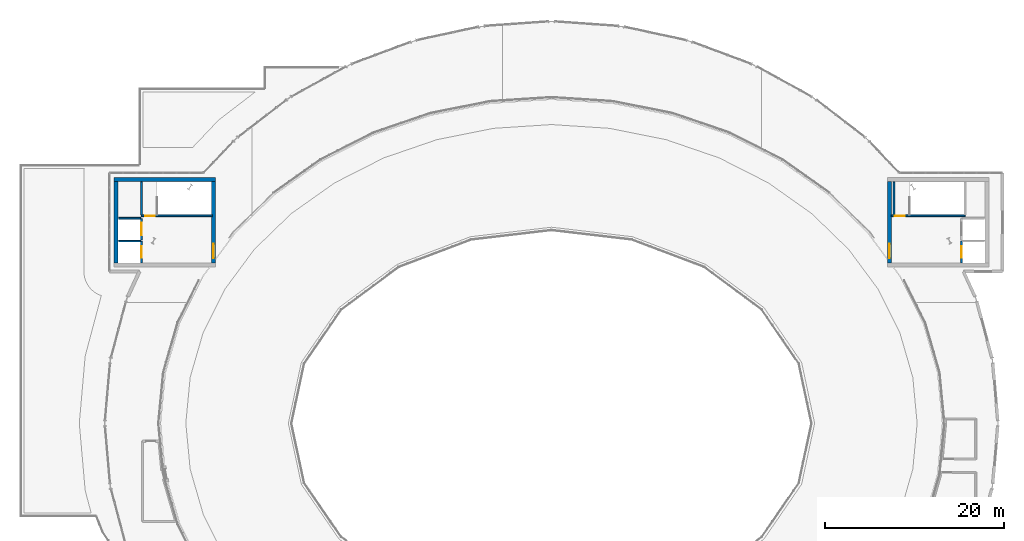
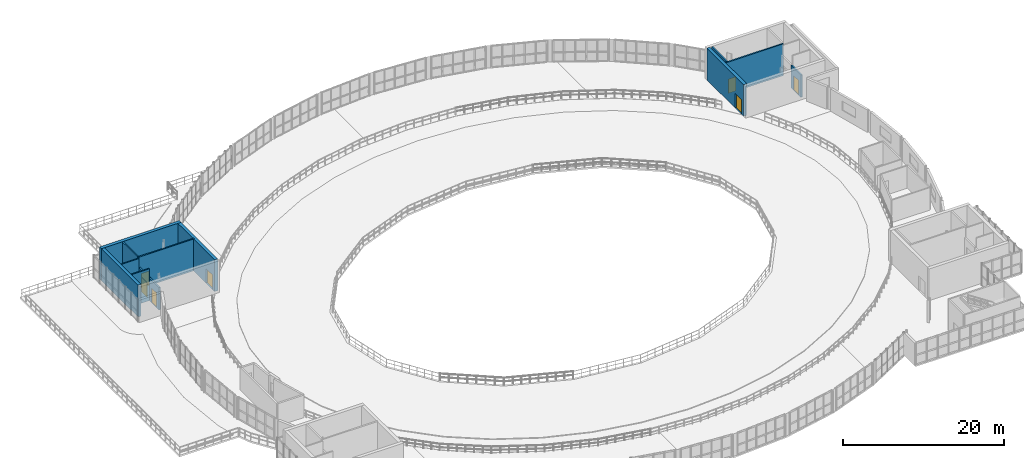
# One storey, part 33 of 40: 13 walls, 7 doors, 7 openings.
"""IFC4 building model written with IfcOpenShell, lengths in metres."""

from ifc_helpers import new_model, si_unit, direction, frame, frame_2d, origin, place, context, subcontext, project, spatial, rectangle, extrude, material, layer, layer_set, type_object, element, fill, save


model = new_model("IFC4")

# Units and contexts
model_context = context("Model", 3, precision=1e-05, world=origin(), true_north=direction((0.0, 1.0)))
body_context = subcontext(model_context, "Body", "Model", "MODEL_VIEW")
ifc_project = project(units=[si_unit("LENGTHUNIT", "METRE"), si_unit("AREAUNIT", "SQUARE_METRE"), si_unit("VOLUMEUNIT", "CUBIC_METRE"), si_unit("PLANEANGLEUNIT", "RADIAN"), si_unit("MASSUNIT", "GRAM", prefix="KILO")], contexts=[model_context])

# Site, building, storey
site_placement = place(None, origin())
site = spatial("IfcSite", under=ifc_project, at=site_placement, CompositionType="ELEMENT")
building_placement = place(site_placement, origin())
building = spatial("IfcBuilding", under=site, at=building_placement, Name="Glasvene Arena", CompositionType="ELEMENT")
storey_placement = place(building_placement, frame((0.0, 0.0, 24.0)))
storey = spatial("IfcBuildingStorey", under=building, at=storey_placement, Name="L05", CompositionType="ELEMENT", Elevation=24.0)

# Walls
ifc_material_1 = material(Name="Concrete C40/50", Category="concrete")
ifc_layer_1 = layer(ifc_material_1, 0.449951171875)
ifc_layer_set_1 = layer_set([ifc_layer_1], Name="Concrete C40/50")
wall_type_1 = type_object("IfcWallType", Name="WL-CORE-450", PredefinedType="SHEAR", material=ifc_layer_set_1)
wall_1_placement = place(storey_placement, frame((43.0, 100.27490234375, 0.0), z_axis=(0.0, 0.0, 1.0), x_axis=(1.0, 0.0, 0.0)))
element("IfcWall", 1, at=wall_1_placement, inside=storey, type_object=wall_type_1, Name="Core C1 North-West shear wall N L05", PredefinedType="SHEAR", context=body_context, shape_type="SweptSolid", body=[
    extrude(rectangle(XDim=11.39990234375, YDim=0.449951171875, at=frame_2d((5.699951171875, 0.0))), origin(), (0.0, 0.0, 1.0), 4.800048828125),
])
wall_2_placement = place(storey_placement, frame((43.22509765625, 90.949951171875, 0.0), z_axis=(0.0, 0.0, 1.0), x_axis=(0.0, 1.0, 0.0)))
element("IfcWall", 2, at=wall_2_placement, inside=storey, type_object=wall_type_1, Name="Core C1 North-West shear wall W L05", PredefinedType="SHEAR", context=body_context, shape_type="SweptSolid", body=[
    extrude(rectangle(XDim=9.10009765625, YDim=0.449951171875, at=frame_2d((4.550048828125, 0.0))), origin(), (0.0, 0.0, 1.0), 4.800048828125),
])

# Wall, opening, door
wall_3_placement = place(storey_placement, frame((54.175048828125, 90.949951171875, 0.0), z_axis=(0.0, 0.0, 1.0), x_axis=(0.0, 1.0, 0.0)))
wall_3 = element("IfcWall", 3, at=wall_3_placement, inside=storey, type_object=wall_type_1, Name="Core C1 North-West shear wall E L05", PredefinedType="SHEAR", context=body_context, shape_type="SweptSolid", body=[
    extrude(rectangle(XDim=9.10009765625, YDim=0.449951171875, at=frame_2d((4.550048828125, 0.0))), origin(), (0.0, 0.0, 1.0), 4.800048828125),
])
opening_1_placement = place(wall_3_placement, frame((0.550048828125, 0.0, 0.0)))
opening_1 = element("IfcOpeningElement", 4, at=opening_1_placement, cuts=wall_3, Name="Opening D-02", PredefinedType="OPENING", context=body_context, shape_type="SweptSolid", body=[
    extrude(rectangle(XDim=1.60009765625, YDim=2.199951171875, at=frame_2d((0.800048828125, 1.10009765625))), frame((0.0, 0.23486328125, 0.0), z_axis=(0.0, -1.0, 0.0), x_axis=(1.0, 0.0, 0.0)), (0.0, 0.0, 1.0), 0.469970703125),
])
ifc_material_2 = material(Name="Painted fire-resisting steel", Category="steel")
door_type_1 = type_object("IfcDoorType", Name="DR-FD60-1600", OperationType="DOUBLE_DOOR_SINGLE_SWING", PredefinedType="DOOR", material=ifc_material_2)
door_1_placement = place(opening_1_placement, frame((1.60009765625, 0.0, 0.0), z_axis=(0.0, 0.0, 1.0), x_axis=(-1.0, 0.0, 0.0)))
door_1 = element("IfcDoor", 5, at=door_1_placement, inside=storey, type_object=door_type_1, Name="Core firefighting lobby concourse door C1-L05", OperationType="DOUBLE_DOOR_SINGLE_SWING", OverallHeight=2.199951171875, OverallWidth=1.60009765625, PredefinedType="DOOR", context=body_context, shape_type="SweptSolid", body=[
    extrude(rectangle(XDim=1.60009765625, YDim=2.199951171875, at=frame_2d((0.800048828125, 1.10009765625))), frame((0.0, 0.02490234375, 0.0), z_axis=(0.0, -1.0, 0.0), x_axis=(1.0, 0.0, 0.0)), (0.0, 0.0, 1.0), 0.050048828125),
])
fill(opening_1, door_1)

wall_4_placement = place(storey_placement, frame((129.824951171875, 90.949951171875, 0.0), z_axis=(0.0, 0.0, 1.0), x_axis=(0.0, 1.0, 0.0)))
wall_4 = element("IfcWall", 6, at=wall_4_placement, inside=storey, type_object=wall_type_1, Name="Core C2 North-East shear wall W L05", PredefinedType="SHEAR", context=body_context, shape_type="SweptSolid", body=[
    extrude(rectangle(XDim=9.10009765625, YDim=0.449951171875, at=frame_2d((4.550048828125, 0.0))), origin(), (0.0, 0.0, 1.0), 4.800048828125),
])
opening_2_placement = place(wall_4_placement, frame((0.550048828125, 0.0, 0.0)))
opening_2 = element("IfcOpeningElement", 7, at=opening_2_placement, cuts=wall_4, Name="Opening D-02", PredefinedType="OPENING", context=body_context, shape_type="SweptSolid", body=[
    extrude(rectangle(XDim=1.60009765625, YDim=2.199951171875, at=frame_2d((0.800048828125, 1.10009765625))), frame((0.0, 0.23486328125, 0.0), z_axis=(0.0, -1.0, 0.0), x_axis=(1.0, 0.0, 0.0)), (0.0, 0.0, 1.0), 0.469970703125),
])
door_2_placement = place(opening_2_placement, frame((1.60009765625, 0.0, 0.0), z_axis=(0.0, 0.0, 1.0), x_axis=(-1.0, 0.0, 0.0)))
door_2 = element("IfcDoor", 8, at=door_2_placement, inside=storey, type_object=door_type_1, Name="Core firefighting lobby concourse door C2-L05", OperationType="DOUBLE_DOOR_SINGLE_SWING", OverallHeight=2.199951171875, OverallWidth=1.60009765625, PredefinedType="DOOR", context=body_context, shape_type="SweptSolid", body=[
    extrude(rectangle(XDim=1.60009765625, YDim=2.199951171875, at=frame_2d((0.800048828125, 1.10009765625))), frame((0.0, 0.02490234375, 0.0), z_axis=(0.0, -1.0, 0.0), x_axis=(1.0, 0.0, 0.0)), (0.0, 0.0, 1.0), 0.050048828125),
])
fill(opening_2, door_2)

ifc_layer_2 = layer(ifc_material_1, 0.199951171875)
ifc_layer_set_2 = layer_set([ifc_layer_2], Name="Concrete C40/50")
wall_type_2 = type_object("IfcWallType", Name="WL-SHAFT-200", PredefinedType="SHEAR", material=ifc_layer_set_2)
wall_5_placement = place(storey_placement, frame((46.10009765625, 90.949951171875, 0.0), z_axis=(0.0, 0.0, 1.0), x_axis=(0.0, 1.0, 0.0)))
wall_5 = element("IfcWall", 9, at=wall_5_placement, inside=storey, type_object=wall_type_2, Name="Lift shaft front wall FFL-01 L05", PredefinedType="SHEAR", context=body_context, shape_type="SweptSolid", body=[
    extrude(rectangle(XDim=2.449951171875, YDim=0.199951171875, at=frame_2d((1.22509765625, 0.0))), origin(), (0.0, 0.0, 1.0), 3.3798828125),
])
opening_3_placement = place(wall_5_placement, frame((0.574951171875, 0.0, 0.0)))
opening_3 = element("IfcOpeningElement", 10, at=opening_3_placement, cuts=wall_5, Name="Opening LD-FF", PredefinedType="OPENING", context=body_context, shape_type="SweptSolid", body=[
    extrude(rectangle(XDim=1.300048828125, YDim=2.199951171875, at=frame_2d((0.64990234375, 1.10009765625))), frame((0.0, 0.10986328125, 0.0), z_axis=(0.0, -1.0, 0.0), x_axis=(1.0, 0.0, 0.0)), (0.0, 0.0, 1.0), 0.219970703125),
])
ifc_material_3 = material(Name="Brushed stainless steel", Category="steel")
door_type_2 = type_object("IfcDoorType", Name="LD-FFL-1300", OperationType="DOUBLE_DOOR_SLIDING", PredefinedType="DOOR", material=ifc_material_3)
door_3_placement = place(opening_3_placement, origin())
door_3 = element("IfcDoor", 11, at=door_3_placement, inside=storey, type_object=door_type_2, Name="Lift sliding landing door LD-FFL-01-L05", OperationType="DOUBLE_DOOR_SLIDING", OverallHeight=2.199951171875, OverallWidth=1.300048828125, PredefinedType="DOOR", context=body_context, shape_type="SweptSolid", body=[
    extrude(rectangle(XDim=1.300048828125, YDim=2.199951171875, at=frame_2d((0.64990234375, 1.10009765625))), frame((0.0, 0.02490234375, 0.0), z_axis=(0.0, -1.0, 0.0), x_axis=(1.0, 0.0, 0.0)), (0.0, 0.0, 1.0), 0.050048828125),
])
fill(opening_3, door_3)

wall_6_placement = place(storey_placement, frame((46.10009765625, 93.5, 0.0), z_axis=(0.0, 0.0, 1.0), x_axis=(0.0, 1.0, 0.0)))
wall_6 = element("IfcWall", 12, at=wall_6_placement, inside=storey, type_object=wall_type_2, Name="Lift shaft front wall PL-01 L05", PredefinedType="SHEAR", context=body_context, shape_type="SweptSolid", body=[
    extrude(rectangle(XDim=2.449951171875, YDim=0.199951171875, at=frame_2d((1.22509765625, 0.0))), origin(), (0.0, 0.0, 1.0), 3.3798828125),
])
opening_4_placement = place(wall_6_placement, frame((0.52490234375, 0.0, 0.0)))
opening_4 = element("IfcOpeningElement", 13, at=opening_4_placement, cuts=wall_6, Name="Opening LD-PL", PredefinedType="OPENING", context=body_context, shape_type="SweptSolid", body=[
    extrude(rectangle(XDim=1.39990234375, YDim=2.199951171875, at=frame_2d((0.699951171875, 1.10009765625))), frame((0.0, 0.10986328125, 0.0), z_axis=(0.0, -1.0, 0.0), x_axis=(1.0, 0.0, 0.0)), (0.0, 0.0, 1.0), 0.219970703125),
])
door_type_3 = type_object("IfcDoorType", Name="LD-PL-1400", OperationType="DOUBLE_DOOR_SLIDING", PredefinedType="DOOR", material=ifc_material_3)
door_4_placement = place(opening_4_placement, origin())
door_4 = element("IfcDoor", 14, at=door_4_placement, inside=storey, type_object=door_type_3, Name="Lift sliding landing door LD-PL-01-L05", OperationType="DOUBLE_DOOR_SLIDING", OverallHeight=2.199951171875, OverallWidth=1.39990234375, PredefinedType="DOOR", context=body_context, shape_type="SweptSolid", body=[
    extrude(rectangle(XDim=1.39990234375, YDim=2.199951171875, at=frame_2d((0.699951171875, 1.10009765625))), frame((0.0, 0.02490234375, 0.0), z_axis=(0.0, -1.0, 0.0), x_axis=(1.0, 0.0, 0.0)), (0.0, 0.0, 1.0), 0.050048828125),
])
fill(opening_4, door_4)

wall_7_placement = place(storey_placement, frame((137.89990234375, 90.949951171875, 0.0), z_axis=(0.0, 0.0, 1.0), x_axis=(0.0, 1.0, 0.0)))
wall_7 = element("IfcWall", 15, at=wall_7_placement, inside=storey, type_object=wall_type_2, Name="Lift shaft front wall FFL-02 L05", PredefinedType="SHEAR", context=body_context, shape_type="SweptSolid", body=[
    extrude(rectangle(XDim=2.449951171875, YDim=0.199951171875, at=frame_2d((1.22509765625, 0.0))), origin(), (0.0, 0.0, 1.0), 3.3798828125),
])
opening_5_placement = place(wall_7_placement, frame((0.574951171875, 0.0, 0.0)))
opening_5 = element("IfcOpeningElement", 16, at=opening_5_placement, cuts=wall_7, Name="Opening LD-FF", PredefinedType="OPENING", context=body_context, shape_type="SweptSolid", body=[
    extrude(rectangle(XDim=1.300048828125, YDim=2.199951171875, at=frame_2d((0.64990234375, 1.10009765625))), frame((0.0, 0.10986328125, 0.0), z_axis=(0.0, -1.0, 0.0), x_axis=(1.0, 0.0, 0.0)), (0.0, 0.0, 1.0), 0.219970703125),
])
door_5_placement = place(opening_5_placement, origin())
door_5 = element("IfcDoor", 17, at=door_5_placement, inside=storey, type_object=door_type_2, Name="Lift sliding landing door LD-FFL-02-L05", OperationType="DOUBLE_DOOR_SLIDING", OverallHeight=2.199951171875, OverallWidth=1.300048828125, PredefinedType="DOOR", context=body_context, shape_type="SweptSolid", body=[
    extrude(rectangle(XDim=1.300048828125, YDim=2.199951171875, at=frame_2d((0.64990234375, 1.10009765625))), frame((0.0, 0.02490234375, 0.0), z_axis=(0.0, -1.0, 0.0), x_axis=(1.0, 0.0, 0.0)), (0.0, 0.0, 1.0), 0.050048828125),
])
fill(opening_5, door_5)

wall_8_placement = place(storey_placement, frame((46.10009765625, 96.22998046875, 0.0), z_axis=(0.0, 0.0, 1.0), x_axis=(1.0, 0.0, 0.0)))
wall_8 = element("IfcWall", 18, at=wall_8_placement, inside=storey, type_object=wall_type_2, Name="Escape stair shaft wall ST-01 L05 S", PredefinedType="SHEAR", context=body_context, shape_type="SweptSolid", body=[
    extrude(rectangle(XDim=7.949951171875, YDim=0.199951171875, at=frame_2d((3.97509765625, 0.0))), origin(), (0.0, 0.0, 1.0), 4.800048828125),
])
opening_6_placement = place(wall_8_placement, frame((0.39990234375, 0.0, 0.0)))
opening_6 = element("IfcOpeningElement", 19, at=opening_6_placement, cuts=wall_8, Name="Opening D-04", PredefinedType="OPENING", context=body_context, shape_type="SweptSolid", body=[
    extrude(rectangle(XDim=1.10009765625, YDim=2.14990234375, at=frame_2d((0.550048828125, 1.074951171875))), frame((0.0, 0.10986328125, 0.0), z_axis=(0.0, -1.0, 0.0), x_axis=(1.0, 0.0, 0.0)), (0.0, 0.0, 1.0), 0.219970703125),
])
door_type_4 = type_object("IfcDoorType", Name="DR-FD60-1100", OperationType="NOTDEFINED", PredefinedType="DOOR", material=ifc_material_2)
door_6_placement = place(opening_6_placement, frame((1.10009765625, 0.0, 0.0), z_axis=(0.0, 0.0, 1.0), x_axis=(-1.0, 0.0, 0.0)))
door_6 = element("IfcDoor", 20, at=door_6_placement, inside=storey, type_object=door_type_4, Name="Protected escape stair door ST-01 L05", OperationType="SINGLE_SWING_RIGHT", OverallHeight=2.14990234375, OverallWidth=1.10009765625, PredefinedType="DOOR", context=body_context, shape_type="SweptSolid", body=[
    extrude(rectangle(XDim=1.10009765625, YDim=2.14990234375, at=frame_2d((0.550048828125, 1.074951171875))), frame((0.0, 0.02490234375, 0.0), z_axis=(0.0, -1.0, 0.0), x_axis=(1.0, 0.0, 0.0)), (0.0, 0.0, 1.0), 0.050048828125),
])
fill(opening_6, door_6)

# Wall
wall_9_placement = place(storey_placement, frame((46.10009765625, 96.33203125, 0.0), z_axis=(0.0, 0.0, 1.0), x_axis=(0.0, 1.0, 0.0)))
element("IfcWall", 21, at=wall_9_placement, inside=storey, type_object=wall_type_2, Name="Escape stair shaft wall ST-01 L05 W", PredefinedType="SHEAR", context=body_context, shape_type="SweptSolid", body=[
    extrude(rectangle(XDim=3.68603515625, YDim=0.199951171875, at=frame_2d((1.843017578125, 0.0))), origin(), (0.0, 0.0, 1.0), 4.800048828125),
])

# Wall, opening, door
wall_10_placement = place(storey_placement, frame((130.052001953125, 96.22998046875, 0.0), z_axis=(0.0, 0.0, 1.0), x_axis=(1.0, 0.0, 0.0)))
wall_10 = element("IfcWall", 22, at=wall_10_placement, inside=storey, type_object=wall_type_2, Name="Escape stair shaft wall ST-02 L05 S", PredefinedType="SHEAR", context=body_context, shape_type="SweptSolid", body=[
    extrude(rectangle(XDim=8.248046875, YDim=0.199951171875, at=frame_2d((4.1240234375, 0.0))), origin(), (0.0, 0.0, 1.0), 4.800048828125),
])
opening_7_placement = place(wall_10_placement, frame((0.39990234375, 0.0, 0.0)))
opening_7 = element("IfcOpeningElement", 23, at=opening_7_placement, cuts=wall_10, Name="Opening D-04", PredefinedType="OPENING", context=body_context, shape_type="SweptSolid", body=[
    extrude(rectangle(XDim=1.10009765625, YDim=2.14990234375, at=frame_2d((0.550048828125, 1.074951171875))), frame((0.0, 0.10986328125, 0.0), z_axis=(0.0, -1.0, 0.0), x_axis=(1.0, 0.0, 0.0)), (0.0, 0.0, 1.0), 0.219970703125),
])
door_7_placement = place(opening_7_placement, frame((1.10009765625, 0.0, 0.0), z_axis=(0.0, 0.0, 1.0), x_axis=(-1.0, 0.0, 0.0)))
door_7 = element("IfcDoor", 24, at=door_7_placement, inside=storey, type_object=door_type_4, Name="Protected escape stair door ST-02 L05", OperationType="SINGLE_SWING_LEFT", OverallHeight=2.14990234375, OverallWidth=1.10009765625, PredefinedType="DOOR", context=body_context, shape_type="SweptSolid", body=[
    extrude(rectangle(XDim=1.10009765625, YDim=2.14990234375, at=frame_2d((0.550048828125, 1.074951171875))), frame((0.0, 0.02490234375, 0.0), z_axis=(0.0, -1.0, 0.0), x_axis=(1.0, 0.0, 0.0)), (0.0, 0.0, 1.0), 0.050048828125),
])
fill(opening_7, door_7)

# Walls
wall_11_placement = place(storey_placement, frame((130.35009765625, 96.33203125, 0.0), z_axis=(0.0, 0.0, 1.0), x_axis=(0.0, 1.0, 0.0)))
element("IfcWall", 25, at=wall_11_placement, inside=storey, type_object=wall_type_2, Name="Escape stair shaft wall ST-02 L05 W", PredefinedType="SHEAR", context=body_context, shape_type="SweptSolid", body=[
    extrude(rectangle(XDim=3.68603515625, YDim=0.199951171875, at=frame_2d((1.843017578125, 0.0))), origin(), (0.0, 0.0, 1.0), 4.800048828125),
])
ifc_material_4 = material(Name="Moisture-resistant masonry blockwork", Category="masonry")
ifc_layer_3 = layer(ifc_material_4, 0.179931640625)
ifc_layer_set_3 = layer_set([ifc_layer_3], Name="Moisture-resistant masonry blockwork")
wall_type_3 = type_object("IfcWallType", Name="WL-WET-180", PredefinedType="PARTITIONING", material=ifc_layer_set_3)
for number, where, z_axis, x_axis, name in (
    (26, (43.550048828125, 93.39990234375, 0.0), (0.0, 0.0, 1.0), (1.0, 0.0, 0.0), "Lift shaft divider wall C1 L05"),
    (27, (43.550048828125, 95.949951171875, 0.0), (0.0, 0.0, 1.0), (1.0, 0.0, 0.0), "Lift shaft north enclosure wall C1 L05"),
):
    element("IfcWall", number, at=place(storey_placement, frame(where, z_axis=z_axis, x_axis=x_axis)), inside=storey, type_object=wall_type_3, Name=name, PredefinedType="PARTITIONING", context=body_context, shape_type="SweptSolid", body=[
        extrude(rectangle(XDim=2.449951171875, YDim=0.179931640625, at=frame_2d((1.22509765625, 0.0))), origin(), (0.0, 0.0, 1.0), 4.800048828125),
    ])

save(model, "model.ifc")
